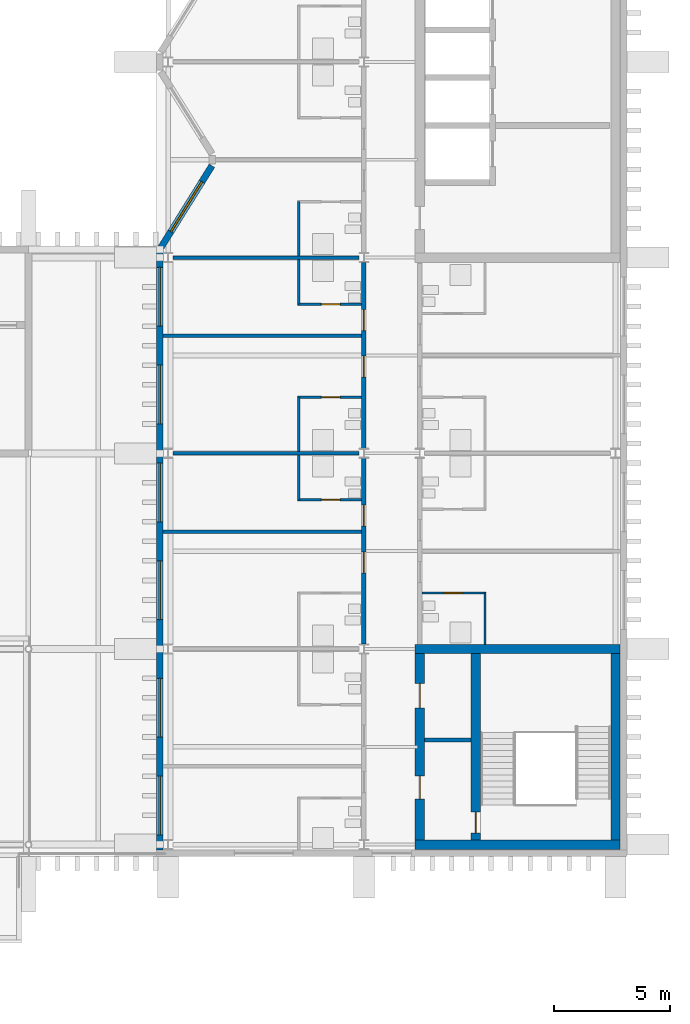
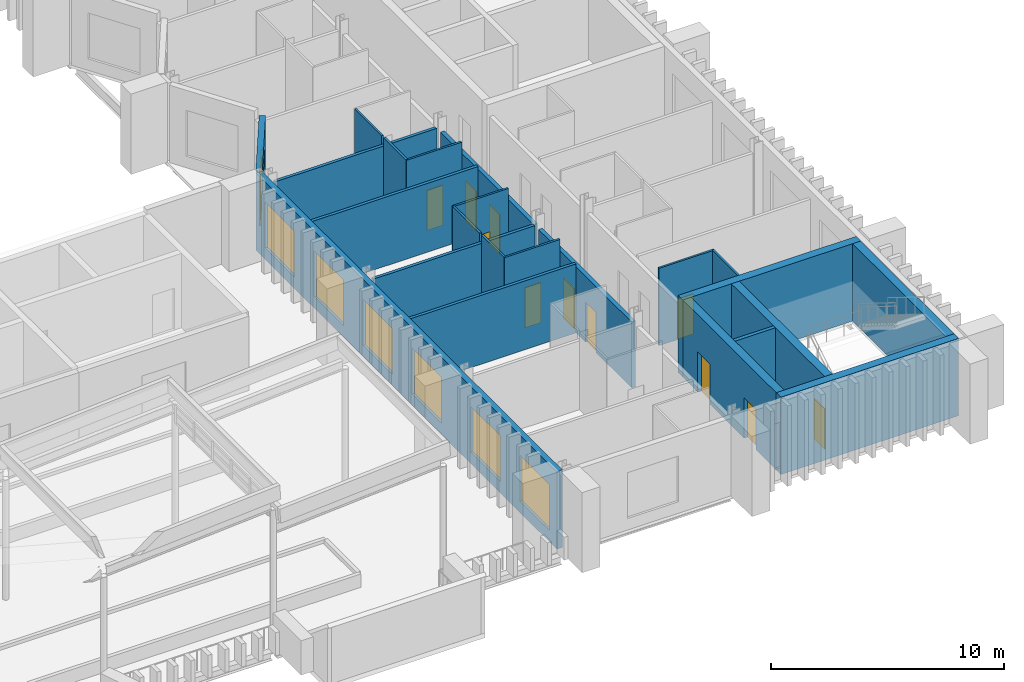
# One storey, part 38 of 51: 23 walls, 11 doors, 7 windows, 18 openings.
"""IFC4 building model written with IfcOpenShell, lengths in metres."""

from ifc_helpers import new_model, si_unit, direction, frame, frame_2d, origin, place, context, subcontext, project, spatial, rectangle, extrude, material, layer, layer_set, type_object, element, fill, save


model = new_model("IFC4")

# Units and contexts
model_context = context("Model", 3, precision=1e-05, world=origin(), true_north=direction((0.0, 1.0)))
body_context = subcontext(model_context, "Body", "Model", "MODEL_VIEW")
ifc_project = project(units=[si_unit("LENGTHUNIT", "METRE"), si_unit("AREAUNIT", "SQUARE_METRE"), si_unit("VOLUMEUNIT", "CUBIC_METRE"), si_unit("PLANEANGLEUNIT", "RADIAN"), si_unit("MASSUNIT", "GRAM", prefix="KILO")], contexts=[model_context])

# Site, building, storey
site_placement = place(None, origin())
site = spatial("IfcSite", under=ifc_project, at=site_placement, CompositionType="ELEMENT")
building_placement = place(site_placement, origin())
building = spatial("IfcBuilding", under=site, at=building_placement, Name="Cresset Court Congress Hotel", CompositionType="ELEMENT")
storey_placement = place(building_placement, frame((0.0, 0.0, 18.60009765625)))
storey = spatial("IfcBuildingStorey", under=building, at=storey_placement, Name="L04", CompositionType="ELEMENT", Elevation=18.60009765625)

# Wall, openings, doors
ifc_material_1 = material(Name="Gypsum board partition")
ifc_layer_1 = layer(ifc_material_1, 0.199951171875)
ifc_layer_set_1 = layer_set([ifc_layer_1], Name="Corridor wall 200")
wall_type_1 = type_object("IfcWallType", Name="Corridor wall 200", PredefinedType="PARTITIONING", material=ifc_layer_set_1)
wall_1_placement = place(storey_placement, frame((165.60009765625, 8.60693359375, 0.0), z_axis=(0.0, 0.0, 1.0), x_axis=(0.0, 1.0, 0.0)))
wall_1 = element("IfcWall", 1, at=wall_1_placement, inside=storey, type_object=wall_type_1, Name="A.wl.L04.071", PredefinedType="PARTITIONING", context=body_context, shape_type="SweptSolid", body=[
    extrude(rectangle(XDim=7.986083984375, YDim=0.199951171875, at=frame_2d((3.9931640625, 0.0))), origin(), (0.0, 0.0, 1.0), 3.449951171875),
])
opening_1_placement = place(wall_1_placement, frame((3.06298828125, 0.0, 0.0)))
opening_1 = element("IfcOpeningElement", 2, at=opening_1_placement, cuts=wall_1, Name="Opening DA-04-06", PredefinedType="OPENING", context=body_context, shape_type="SweptSolid", body=[
    extrude(rectangle(XDim=0.89990234375, YDim=2.10009765625, at=frame_2d((0.449951171875, 1.050048828125))), frame((0.0, 0.10986328125, 0.0), z_axis=(0.0, -1.0, 0.0), x_axis=(1.0, 0.0, 0.0)), (0.0, 0.0, 1.0), 0.219970703125),
])
opening_2_placement = place(wall_1_placement, frame((5.06298828125, 0.0, 0.0)))
opening_2 = element("IfcOpeningElement", 3, at=opening_2_placement, cuts=wall_1, Name="Opening DA-04-08", PredefinedType="OPENING", context=body_context, shape_type="SweptSolid", body=[
    extrude(rectangle(XDim=0.89990234375, YDim=2.10009765625, at=frame_2d((0.449951171875, 1.050048828125))), frame((0.0, 0.10986328125, 0.0), z_axis=(0.0, -1.0, 0.0), x_axis=(1.0, 0.0, 0.0)), (0.0, 0.0, 1.0), 0.219970703125),
])
ifc_material_2 = material(Name="timber", Category="wood")
door_type_1 = type_object("IfcDoorType", Name="Guest-room entry door 900x2100 FD30S", OperationType="SINGLE_SWING_LEFT", PredefinedType="DOOR", material=ifc_material_2)
door_1_placement = place(opening_1_placement, origin())
door_1 = element("IfcDoor", 4, at=door_1_placement, inside=storey, type_object=door_type_1, Name="Door DA-04-06", OperationType="SINGLE_SWING_RIGHT", OverallHeight=2.10009765625, OverallWidth=0.89990234375, PredefinedType="DOOR", context=body_context, shape_type="SweptSolid", body=[
    extrude(rectangle(XDim=0.89990234375, YDim=2.10009765625, at=frame_2d((0.449951171875, 1.050048828125))), frame((0.0, 0.02490234375, 0.0), z_axis=(0.0, -1.0, 0.0), x_axis=(1.0, 0.0, 0.0)), (0.0, 0.0, 1.0), 0.050048828125),
])
fill(opening_1, door_1)
door_2_placement = place(opening_2_placement, origin())
door_2 = element("IfcDoor", 5, at=door_2_placement, inside=storey, type_object=door_type_1, Name="Door DA-04-08", OperationType="SINGLE_SWING_LEFT", OverallHeight=2.10009765625, OverallWidth=0.89990234375, PredefinedType="DOOR", context=body_context, shape_type="SweptSolid", body=[
    extrude(rectangle(XDim=0.89990234375, YDim=2.10009765625, at=frame_2d((0.449951171875, 1.050048828125))), frame((0.0, 0.02490234375, 0.0), z_axis=(0.0, -1.0, 0.0), x_axis=(1.0, 0.0, 0.0)), (0.0, 0.0, 1.0), 0.050048828125),
])
fill(opening_2, door_2)

wall_2_placement = place(storey_placement, frame((165.60009765625, 17.007080078125, 0.0), z_axis=(0.0, 0.0, 1.0), x_axis=(0.0, 1.0, 0.0)))
wall_2 = element("IfcWall", 6, at=wall_2_placement, inside=storey, type_object=wall_type_1, Name="A.wl.L04.072", PredefinedType="PARTITIONING", context=body_context, shape_type="SweptSolid", body=[
    extrude(rectangle(XDim=7.98583984375, YDim=0.199951171875, at=frame_2d((3.992919921875, 0.0))), origin(), (0.0, 0.0, 1.0), 3.449951171875),
])
opening_3_placement = place(wall_2_placement, frame((3.06298828125, 0.0, 0.0)))
opening_3 = element("IfcOpeningElement", 7, at=opening_3_placement, cuts=wall_2, Name="Opening DA-04-10", PredefinedType="OPENING", context=body_context, shape_type="SweptSolid", body=[
    extrude(rectangle(XDim=0.89990234375, YDim=2.10009765625, at=frame_2d((0.449951171875, 1.050048828125))), frame((0.0, 0.10986328125, 0.0), z_axis=(0.0, -1.0, 0.0), x_axis=(1.0, 0.0, 0.0)), (0.0, 0.0, 1.0), 0.219970703125),
])
opening_4_placement = place(wall_2_placement, frame((5.06298828125, 0.0, 0.0)))
opening_4 = element("IfcOpeningElement", 8, at=opening_4_placement, cuts=wall_2, Name="Opening DA-04-12", PredefinedType="OPENING", context=body_context, shape_type="SweptSolid", body=[
    extrude(rectangle(XDim=0.89990234375, YDim=2.10009765625, at=frame_2d((0.449951171875, 1.050048828125))), frame((0.0, 0.10986328125, 0.0), z_axis=(0.0, -1.0, 0.0), x_axis=(1.0, 0.0, 0.0)), (0.0, 0.0, 1.0), 0.219970703125),
])
door_3_placement = place(opening_3_placement, origin())
door_3 = element("IfcDoor", 9, at=door_3_placement, inside=storey, type_object=door_type_1, Name="Door DA-04-10", OperationType="SINGLE_SWING_RIGHT", OverallHeight=2.10009765625, OverallWidth=0.89990234375, PredefinedType="DOOR", context=body_context, shape_type="SweptSolid", body=[
    extrude(rectangle(XDim=0.89990234375, YDim=2.10009765625, at=frame_2d((0.449951171875, 1.050048828125))), frame((0.0, 0.02490234375, 0.0), z_axis=(0.0, -1.0, 0.0), x_axis=(1.0, 0.0, 0.0)), (0.0, 0.0, 1.0), 0.050048828125),
])
fill(opening_3, door_3)
door_4_placement = place(opening_4_placement, origin())
door_4 = element("IfcDoor", 10, at=door_4_placement, inside=storey, type_object=door_type_1, Name="Door DA-04-12", OperationType="SINGLE_SWING_LEFT", OverallHeight=2.10009765625, OverallWidth=0.89990234375, PredefinedType="DOOR", context=body_context, shape_type="SweptSolid", body=[
    extrude(rectangle(XDim=0.89990234375, YDim=2.10009765625, at=frame_2d((0.449951171875, 1.050048828125))), frame((0.0, 0.02490234375, 0.0), z_axis=(0.0, -1.0, 0.0), x_axis=(1.0, 0.0, 0.0)), (0.0, 0.0, 1.0), 0.050048828125),
])
fill(opening_4, door_4)

# Wall
ifc_material_3 = material(Name="Gypsum board partition")
ifc_layer_2 = layer(ifc_material_3, 0.10009765625)
ifc_layer_set_2 = layer_set([ifc_layer_2], Name="En-suite wall 100")
wall_type_2 = type_object("IfcWallType", Name="En-suite wall 100", PredefinedType="PARTITIONING", material=ifc_layer_set_2)
wall_3_placement = place(storey_placement, frame((162.800048828125, 14.800048828125, 0.0), z_axis=(0.0, 0.0, 1.0), x_axis=(0.0, 1.0, 0.0)))
element("IfcWall", 11, at=wall_3_placement, inside=storey, type_object=wall_type_2, Name="A.wl.L04.007", PredefinedType="PARTITIONING", context=body_context, shape_type="SweptSolid", body=[
    extrude(rectangle(XDim=1.925048828125, YDim=0.10009765625, at=frame_2d((0.96240234375, 0.0))), origin(), (0.0, 0.0, 1.0), 4.0498046875),
])

# Wall, opening, door
wall_4_placement = place(storey_placement, frame((162.75, 14.800048828125, 0.0), z_axis=(0.0, 0.0, 1.0), x_axis=(1.0, 0.0, 0.0)))
wall_4 = element("IfcWall", 12, at=wall_4_placement, inside=storey, type_object=wall_type_2, Name="A.wl.L04.008", PredefinedType="PARTITIONING", context=body_context, shape_type="SweptSolid", body=[
    extrude(rectangle(XDim=2.75, YDim=0.10009765625, at=frame_2d((1.375, 0.0))), origin(), (0.0, 0.0, 1.0), 4.0498046875),
])
opening_5_placement = place(wall_4_placement, frame((1.030029296875, 0.0, 0.0)))
opening_5 = element("IfcOpeningElement", 13, at=opening_5_placement, cuts=wall_4, Name="Opening DA-04-07", PredefinedType="OPENING", context=body_context, shape_type="SweptSolid", body=[
    extrude(rectangle(XDim=0.800048828125, YDim=2.10009765625, at=frame_2d((0.39990234375, 1.050048828125))), frame((0.0, 0.06005859375, 0.0), z_axis=(0.0, -1.0, 0.0), x_axis=(1.0, 0.0, 0.0)), (0.0, 0.0, 1.0), 0.1201171875),
])
ifc_material_4 = material(Name="timber", Category="wood")
door_type_2 = type_object("IfcDoorType", Name="En-suite door 800x2100", OperationType="SINGLE_SWING_LEFT", PredefinedType="DOOR", material=ifc_material_4)
door_5_placement = place(opening_5_placement, origin())
door_5 = element("IfcDoor", 14, at=door_5_placement, inside=storey, type_object=door_type_2, Name="Door DA-04-07", OperationType="SINGLE_SWING_LEFT", OverallHeight=2.10009765625, OverallWidth=0.800048828125, PredefinedType="DOOR", context=body_context, shape_type="SweptSolid", body=[
    extrude(rectangle(XDim=0.800048828125, YDim=2.10009765625, at=frame_2d((0.39990234375, 1.050048828125))), frame((0.0, 0.02490234375, 0.0), z_axis=(0.0, -1.0, 0.0), x_axis=(1.0, 0.0, 0.0)), (0.0, 0.0, 1.0), 0.050048828125),
])
fill(opening_5, door_5)

# Wall
wall_5_placement = place(storey_placement, frame((162.800048828125, 16.875, 0.0), z_axis=(0.0, 0.0, 1.0), x_axis=(0.0, 1.0, 0.0)))
element("IfcWall", 15, at=wall_5_placement, inside=storey, type_object=wall_type_2, Name="A.wl.L04.009", PredefinedType="PARTITIONING", context=body_context, shape_type="SweptSolid", body=[
    extrude(rectangle(XDim=2.324951171875, YDim=0.10009765625, at=frame_2d((1.16259765625, 0.0))), origin(), (0.0, 0.0, 1.0), 4.0498046875),
])

# Wall, opening, door
wall_6_placement = place(storey_placement, frame((162.75, 19.199951171875, 0.0), z_axis=(0.0, 0.0, 1.0), x_axis=(1.0, 0.0, 0.0)))
wall_6 = element("IfcWall", 16, at=wall_6_placement, inside=storey, type_object=wall_type_2, Name="A.wl.L04.010", PredefinedType="PARTITIONING", context=body_context, shape_type="SweptSolid", body=[
    extrude(rectangle(XDim=2.75, YDim=0.10009765625, at=frame_2d((1.375, 0.0))), origin(), (0.0, 0.0, 1.0), 4.0498046875),
])
opening_6_placement = place(wall_6_placement, frame((1.030029296875, 0.0, 0.0)))
opening_6 = element("IfcOpeningElement", 17, at=opening_6_placement, cuts=wall_6, Name="Opening DA-04-09", PredefinedType="OPENING", context=body_context, shape_type="SweptSolid", body=[
    extrude(rectangle(XDim=0.800048828125, YDim=2.10009765625, at=frame_2d((0.39990234375, 1.050048828125))), frame((0.0, 0.06005859375, 0.0), z_axis=(0.0, -1.0, 0.0), x_axis=(1.0, 0.0, 0.0)), (0.0, 0.0, 1.0), 0.1201171875),
])
door_6_placement = place(opening_6_placement, origin())
door_6 = element("IfcDoor", 18, at=door_6_placement, inside=storey, type_object=door_type_2, Name="Door DA-04-09", OperationType="SINGLE_SWING_RIGHT", OverallHeight=2.10009765625, OverallWidth=0.800048828125, PredefinedType="DOOR", context=body_context, shape_type="SweptSolid", body=[
    extrude(rectangle(XDim=0.800048828125, YDim=2.10009765625, at=frame_2d((0.39990234375, 1.050048828125))), frame((0.0, 0.02490234375, 0.0), z_axis=(0.0, -1.0, 0.0), x_axis=(1.0, 0.0, 0.0)), (0.0, 0.0, 1.0), 0.050048828125),
])
fill(opening_6, door_6)

# Wall
wall_7_placement = place(storey_placement, frame((162.800048828125, 23.199951171875, 0.0), z_axis=(0.0, 0.0, 1.0), x_axis=(0.0, 1.0, 0.0)))
element("IfcWall", 19, at=wall_7_placement, inside=storey, type_object=wall_type_2, Name="A.wl.L04.011", PredefinedType="PARTITIONING", context=body_context, shape_type="SweptSolid", body=[
    extrude(rectangle(XDim=1.925048828125, YDim=0.10009765625, at=frame_2d((0.96240234375, 0.0))), origin(), (0.0, 0.0, 1.0), 4.0498046875),
])

# Wall, opening, door
wall_8_placement = place(storey_placement, frame((162.75, 23.199951171875, 0.0), z_axis=(0.0, 0.0, 1.0), x_axis=(1.0, 0.0, 0.0)))
wall_8 = element("IfcWall", 20, at=wall_8_placement, inside=storey, type_object=wall_type_2, Name="A.wl.L04.012", PredefinedType="PARTITIONING", context=body_context, shape_type="SweptSolid", body=[
    extrude(rectangle(XDim=2.75, YDim=0.10009765625, at=frame_2d((1.375, 0.0))), origin(), (0.0, 0.0, 1.0), 4.0498046875),
])
opening_7_placement = place(wall_8_placement, frame((1.030029296875, 0.0, 0.0)))
opening_7 = element("IfcOpeningElement", 21, at=opening_7_placement, cuts=wall_8, Name="Opening DA-04-11", PredefinedType="OPENING", context=body_context, shape_type="SweptSolid", body=[
    extrude(rectangle(XDim=0.800048828125, YDim=2.10009765625, at=frame_2d((0.39990234375, 1.050048828125))), frame((0.0, 0.06005859375, 0.0), z_axis=(0.0, -1.0, 0.0), x_axis=(1.0, 0.0, 0.0)), (0.0, 0.0, 1.0), 0.1201171875),
])
door_7_placement = place(opening_7_placement, origin())
door_7 = element("IfcDoor", 22, at=door_7_placement, inside=storey, type_object=door_type_2, Name="Door DA-04-11", OperationType="SINGLE_SWING_LEFT", OverallHeight=2.10009765625, OverallWidth=0.800048828125, PredefinedType="DOOR", context=body_context, shape_type="SweptSolid", body=[
    extrude(rectangle(XDim=0.800048828125, YDim=2.10009765625, at=frame_2d((0.39990234375, 1.050048828125))), frame((0.0, 0.02490234375, 0.0), z_axis=(0.0, -1.0, 0.0), x_axis=(1.0, 0.0, 0.0)), (0.0, 0.0, 1.0), 0.050048828125),
])
fill(opening_7, door_7)

# Walls
wall_9_placement = place(storey_placement, frame((162.800048828125, 25.27490234375, 0.0), z_axis=(0.0, 0.0, 1.0), x_axis=(0.0, 1.0, 0.0)))
element("IfcWall", 23, at=wall_9_placement, inside=storey, type_object=wall_type_2, Name="A.wl.L04.013", PredefinedType="PARTITIONING", context=body_context, shape_type="SweptSolid", body=[
    extrude(rectangle(XDim=2.3251953125, YDim=0.10009765625, at=frame_2d((1.16259765625, 0.0))), origin(), (0.0, 0.0, 1.0), 4.0498046875),
])
wall_10_placement = place(storey_placement, frame((170.800048828125, 8.60009765625, 0.0), z_axis=(0.0, 0.0, 1.0), x_axis=(0.0, 1.0, 0.0)))
element("IfcWall", 24, at=wall_10_placement, inside=storey, type_object=wall_type_2, Name="A.wl.L04.033", PredefinedType="PARTITIONING", context=body_context, shape_type="SweptSolid", body=[
    extrude(rectangle(XDim=2.199951171875, YDim=0.10009765625, at=frame_2d((1.10009765625, 0.0))), origin(), (0.0, 0.0, 1.0), 4.0498046875),
])

# Wall, opening, door
wall_11_placement = place(storey_placement, frame((170.85009765625, 10.800048828125, 0.0), z_axis=(0.0, 0.0, 1.0), x_axis=(-1.0, 0.0, 0.0)))
wall_11 = element("IfcWall", 25, at=wall_11_placement, inside=storey, type_object=wall_type_2, Name="A.wl.L04.034", PredefinedType="PARTITIONING", context=body_context, shape_type="SweptSolid", body=[
    extrude(rectangle(XDim=2.75, YDim=0.10009765625, at=frame_2d((1.375, 0.0))), origin(), (0.0, 0.0, 1.0), 4.0498046875),
])
opening_8_placement = place(wall_11_placement, frame((1.030029296875, 0.0, 0.0)))
opening_8 = element("IfcOpeningElement", 26, at=opening_8_placement, cuts=wall_11, Name="Opening DA-04-33", PredefinedType="OPENING", context=body_context, shape_type="SweptSolid", body=[
    extrude(rectangle(XDim=0.800048828125, YDim=2.10009765625, at=frame_2d((0.39990234375, 1.050048828125))), frame((0.0, 0.06005859375, 0.0), z_axis=(0.0, -1.0, 0.0), x_axis=(1.0, 0.0, 0.0)), (0.0, 0.0, 1.0), 0.1201171875),
])
door_8_placement = place(opening_8_placement, origin())
door_8 = element("IfcDoor", 27, at=door_8_placement, inside=storey, type_object=door_type_2, Name="Door DA-04-33", OperationType="SINGLE_SWING_RIGHT", OverallHeight=2.10009765625, OverallWidth=0.800048828125, PredefinedType="DOOR", context=body_context, shape_type="SweptSolid", body=[
    extrude(rectangle(XDim=0.800048828125, YDim=2.10009765625, at=frame_2d((0.39990234375, 1.050048828125))), frame((0.0, 0.02490234375, 0.0), z_axis=(0.0, -1.0, 0.0), x_axis=(1.0, 0.0, 0.0)), (0.0, 0.0, 1.0), 0.050048828125),
])
fill(opening_8, door_8)

# Wall, openings, windows
ifc_material_5 = material(Name="Precast concrete C50", Category="concrete")
ifc_layer_3 = layer(ifc_material_5, 0.280029296875)
ifc_layer_set_3 = layer_set([ifc_layer_3], Name="External wall 280")
wall_type_3 = type_object("IfcWallType", Name="External wall 280", PredefinedType="SOLIDWALL", material=ifc_layer_set_3)
wall_12_placement = place(storey_placement, frame((156.840087890625, -0.219970703125, 0.0), z_axis=(0.0, 0.0, 1.0), x_axis=(0.0, 1.0, 0.0)))
wall_12 = element("IfcWall", 28, at=wall_12_placement, inside=storey, type_object=wall_type_3, Name="A.ew.L04.W.1", PredefinedType="SOLIDWALL", context=body_context, shape_type="SweptSolid", body=[
    extrude(rectangle(XDim=25.77001953125, YDim=0.280029296875, at=frame_2d((12.885009765625, 0.0))), origin(), (0.0, 0.0, 1.0), 4.0498046875),
])
opening_9_placement = place(wall_12_placement, frame((0.639892578125, 0.0, 0.60009765625)))
opening_9 = element("IfcOpeningElement", 29, at=opening_9_placement, cuts=wall_12, Name="Opening NA-04-01", PredefinedType="OPENING", context=body_context, shape_type="SweptSolid", body=[
    extrude(rectangle(XDim=2.52001953125, YDim=2.39990234375, at=frame_2d((1.260009765625, 1.199951171875))), frame((0.0, 0.14990234375, 0.0), z_axis=(0.0, -1.0, 0.0), x_axis=(1.0, 0.0, 0.0)), (0.0, 0.0, 1.0), 0.300048828125),
])
opening_10_placement = place(wall_12_placement, frame((4.840087890625, 0.0, 0.60009765625)))
opening_10 = element("IfcOpeningElement", 30, at=opening_10_placement, cuts=wall_12, Name="Opening NA-04-02", PredefinedType="OPENING", context=body_context, shape_type="SweptSolid", body=[
    extrude(rectangle(XDim=2.52001953125, YDim=2.39990234375, at=frame_2d((1.260009765625, 1.199951171875))), frame((0.0, 0.14990234375, 0.0), z_axis=(0.0, -1.0, 0.0), x_axis=(1.0, 0.0, 0.0)), (0.0, 0.0, 1.0), 0.300048828125),
])
opening_11_placement = place(wall_12_placement, frame((9.8798828125, 0.0, 0.60009765625)))
opening_11 = element("IfcOpeningElement", 31, at=opening_11_placement, cuts=wall_12, Name="Opening NA-04-03", PredefinedType="OPENING", context=body_context, shape_type="SweptSolid", body=[
    extrude(rectangle(XDim=2.52001953125, YDim=2.39990234375, at=frame_2d((1.260009765625, 1.199951171875))), frame((0.0, 0.14990234375, 0.0), z_axis=(0.0, -1.0, 0.0), x_axis=(1.0, 0.0, 0.0)), (0.0, 0.0, 1.0), 0.300048828125),
])
opening_12_placement = place(wall_12_placement, frame((14.080078125, 0.0, 0.60009765625)))
opening_12 = element("IfcOpeningElement", 32, at=opening_12_placement, cuts=wall_12, Name="Opening NA-04-04", PredefinedType="OPENING", context=body_context, shape_type="SweptSolid", body=[
    extrude(rectangle(XDim=2.52001953125, YDim=2.39990234375, at=frame_2d((1.260009765625, 1.199951171875))), frame((0.0, 0.14990234375, 0.0), z_axis=(0.0, -1.0, 0.0), x_axis=(1.0, 0.0, 0.0)), (0.0, 0.0, 1.0), 0.300048828125),
])
opening_13_placement = place(wall_12_placement, frame((18.280029296875, 0.0, 0.60009765625)))
opening_13 = element("IfcOpeningElement", 33, at=opening_13_placement, cuts=wall_12, Name="Opening NA-04-05", PredefinedType="OPENING", context=body_context, shape_type="SweptSolid", body=[
    extrude(rectangle(XDim=2.52001953125, YDim=2.39990234375, at=frame_2d((1.260009765625, 1.199951171875))), frame((0.0, 0.14990234375, 0.0), z_axis=(0.0, -1.0, 0.0), x_axis=(1.0, 0.0, 0.0)), (0.0, 0.0, 1.0), 0.300048828125),
])
opening_14_placement = place(wall_12_placement, frame((22.47998046875, 0.0, 0.60009765625)))
opening_14 = element("IfcOpeningElement", 34, at=opening_14_placement, cuts=wall_12, Name="Opening NA-04-06", PredefinedType="OPENING", context=body_context, shape_type="SweptSolid", body=[
    extrude(rectangle(XDim=2.52001953125, YDim=2.39990234375, at=frame_2d((1.260009765625, 1.199951171875))), frame((0.0, 0.14990234375, 0.0), z_axis=(0.0, -1.0, 0.0), x_axis=(1.0, 0.0, 0.0)), (0.0, 0.0, 1.0), 0.300048828125),
])
ifc_material_6 = material(Name="Aluminium and glass", Category="aluminium")
window_type = type_object("IfcWindowType", Name="Window 2520x2400", PartitioningType="SINGLE_PANEL", PredefinedType="WINDOW", material=ifc_material_6)
window_1_placement = place(opening_9_placement, origin())
window_1 = element("IfcWindow", 35, at=window_1_placement, inside=storey, type_object=window_type, Name="Window NA-04-01", OverallHeight=2.39990234375, OverallWidth=2.52001953125, PartitioningType="SINGLE_PANEL", PredefinedType="WINDOW", context=body_context, shape_type="SweptSolid", body=[
    extrude(rectangle(XDim=2.52001953125, YDim=2.39990234375, at=frame_2d((1.260009765625, 1.199951171875))), frame((0.0, 0.030029296875, 0.0), z_axis=(0.0, -1.0, 0.0), x_axis=(1.0, 0.0, 0.0)), (0.0, 0.0, 1.0), 0.06005859375),
])
fill(opening_9, window_1)
window_2_placement = place(opening_10_placement, origin())
window_2 = element("IfcWindow", 36, at=window_2_placement, inside=storey, type_object=window_type, Name="Window NA-04-02", OverallHeight=2.39990234375, OverallWidth=2.52001953125, PartitioningType="SINGLE_PANEL", PredefinedType="WINDOW", context=body_context, shape_type="SweptSolid", body=[
    extrude(rectangle(XDim=2.52001953125, YDim=2.39990234375, at=frame_2d((1.260009765625, 1.199951171875))), frame((0.0, 0.030029296875, 0.0), z_axis=(0.0, -1.0, 0.0), x_axis=(1.0, 0.0, 0.0)), (0.0, 0.0, 1.0), 0.06005859375),
])
fill(opening_10, window_2)
window_3_placement = place(opening_11_placement, origin())
window_3 = element("IfcWindow", 37, at=window_3_placement, inside=storey, type_object=window_type, Name="Window NA-04-03", OverallHeight=2.39990234375, OverallWidth=2.52001953125, PartitioningType="SINGLE_PANEL", PredefinedType="WINDOW", context=body_context, shape_type="SweptSolid", body=[
    extrude(rectangle(XDim=2.52001953125, YDim=2.39990234375, at=frame_2d((1.260009765625, 1.199951171875))), frame((0.0, 0.030029296875, 0.0), z_axis=(0.0, -1.0, 0.0), x_axis=(1.0, 0.0, 0.0)), (0.0, 0.0, 1.0), 0.06005859375),
])
fill(opening_11, window_3)
window_4_placement = place(opening_12_placement, origin())
window_4 = element("IfcWindow", 38, at=window_4_placement, inside=storey, type_object=window_type, Name="Window NA-04-04", OverallHeight=2.39990234375, OverallWidth=2.52001953125, PartitioningType="SINGLE_PANEL", PredefinedType="WINDOW", context=body_context, shape_type="SweptSolid", body=[
    extrude(rectangle(XDim=2.52001953125, YDim=2.39990234375, at=frame_2d((1.260009765625, 1.199951171875))), frame((0.0, 0.030029296875, 0.0), z_axis=(0.0, -1.0, 0.0), x_axis=(1.0, 0.0, 0.0)), (0.0, 0.0, 1.0), 0.06005859375),
])
fill(opening_12, window_4)
window_5_placement = place(opening_13_placement, origin())
window_5 = element("IfcWindow", 39, at=window_5_placement, inside=storey, type_object=window_type, Name="Window NA-04-05", OverallHeight=2.39990234375, OverallWidth=2.52001953125, PartitioningType="SINGLE_PANEL", PredefinedType="WINDOW", context=body_context, shape_type="SweptSolid", body=[
    extrude(rectangle(XDim=2.52001953125, YDim=2.39990234375, at=frame_2d((1.260009765625, 1.199951171875))), frame((0.0, 0.030029296875, 0.0), z_axis=(0.0, -1.0, 0.0), x_axis=(1.0, 0.0, 0.0)), (0.0, 0.0, 1.0), 0.06005859375),
])
fill(opening_13, window_5)
window_6_placement = place(opening_14_placement, origin())
window_6 = element("IfcWindow", 40, at=window_6_placement, inside=storey, type_object=window_type, Name="Window NA-04-06", OverallHeight=2.39990234375, OverallWidth=2.52001953125, PartitioningType="SINGLE_PANEL", PredefinedType="WINDOW", context=body_context, shape_type="SweptSolid", body=[
    extrude(rectangle(XDim=2.52001953125, YDim=2.39990234375, at=frame_2d((1.260009765625, 1.199951171875))), frame((0.0, 0.030029296875, 0.0), z_axis=(0.0, -1.0, 0.0), x_axis=(1.0, 0.0, 0.0)), (0.0, 0.0, 1.0), 0.06005859375),
])
fill(opening_14, window_6)

# Wall, opening, window
wall_13_placement = place(storey_placement, frame((156.88623046875, 25.6240234375, 0.0), z_axis=(0.0, 0.0, 1.0), x_axis=(0.528992500338, 0.848626498871, 0.0)))
wall_13 = element("IfcWall", 41, at=wall_13_placement, inside=storey, type_object=wall_type_3, Name="A.ew.L04.Wn.3.0", PredefinedType="SOLIDWALL", context=body_context, shape_type="SweptSolid", body=[
    extrude(rectangle(XDim=4.14453125, YDim=0.280029296875, at=frame_2d((2.072265625, 0.0))), origin(), (0.0, 0.0, 1.0), 4.0498046875),
])
opening_15_placement = place(wall_13_placement, frame((0.812255859375, 0.0, 0.60009765625)))
opening_15 = element("IfcOpeningElement", 42, at=opening_15_placement, cuts=wall_13, Name="Opening NA-04-07", PredefinedType="OPENING", context=body_context, shape_type="SweptSolid", body=[
    extrude(rectangle(XDim=2.52001953125, YDim=2.39990234375, at=frame_2d((1.260009765625, 1.199951171875))), frame((0.0, 0.14990234375, 0.0), z_axis=(0.0, -1.0, 0.0), x_axis=(1.0, 0.0, 0.0)), (0.0, 0.0, 1.0), 0.300048828125),
])
window_7_placement = place(opening_15_placement, origin())
window_7 = element("IfcWindow", 43, at=window_7_placement, inside=storey, type_object=window_type, Name="Window NA-04-07", OverallHeight=2.39990234375, OverallWidth=2.52001953125, PartitioningType="SINGLE_PANEL", PredefinedType="WINDOW", context=body_context, shape_type="SweptSolid", body=[
    extrude(rectangle(XDim=2.52001953125, YDim=2.39990234375, at=frame_2d((1.260009765625, 1.199951171875))), frame((0.0, 0.030029296875, 0.0), z_axis=(0.0, -1.0, 0.0), x_axis=(1.0, 0.0, 0.0)), (0.0, 0.0, 1.0), 0.06005859375),
])
fill(opening_15, window_7)

# Walls
ifc_material_7 = material(Name="Gypsum board partition")
ifc_layer_4 = layer(ifc_material_7, 0.14990234375)
ifc_layer_set_4 = layer_set([ifc_layer_4], Name="Guest-room partition 150")
wall_type_4 = type_object("IfcWallType", Name="Guest-room partition 150", PredefinedType="PARTITIONING", material=ifc_layer_set_4)
for number, where, z_axis, x_axis, name in (
    (44, (157.402587890625, 16.800048828125, 0.0), (0.0, 0.0, 1.0), (1.0, 0.0, 0.0), "A.wl.L04.050"),
    (45, (157.402587890625, 25.199951171875, 0.0), (0.0, 0.0, 1.0), (1.0, 0.0, 0.0), "A.wl.L04.051"),
):
    element("IfcWall", number, at=place(storey_placement, frame(where, z_axis=z_axis, x_axis=x_axis)), inside=storey, type_object=wall_type_4, Name=name, PredefinedType="PARTITIONING", context=body_context, shape_type="SweptSolid", body=[
        extrude(rectangle(XDim=7.994873046875, YDim=0.14990234375, at=frame_2d((3.99755859375, 0.0))), origin(), (0.0, 0.0, 1.0), 3.60400390625),
    ])
for number, where, z_axis, x_axis, name in (
    (46, (156.97998046875, 13.43994140625, 0.0), (0.0, 0.0, 1.0), (1.0, 0.0, 0.0), "A.wl.L04.059"),
    (47, (156.97998046875, 21.840087890625, 0.0), (0.0, 0.0, 1.0), (1.0, 0.0, 0.0), "A.wl.L04.060"),
):
    element("IfcWall", number, at=place(storey_placement, frame(where, z_axis=z_axis, x_axis=x_axis)), inside=storey, type_object=wall_type_4, Name=name, PredefinedType="PARTITIONING", context=body_context, shape_type="SweptSolid", body=[
        extrude(rectangle(XDim=8.52001953125, YDim=0.14990234375, at=frame_2d((4.260009765625, 0.0))), origin(), (0.0, 0.0, 1.0), 3.60400390625),
    ])
ifc_material_8 = material(Name="Concrete block wall", Category="concrete")
ifc_layer_5 = layer(ifc_material_8, 0.175048828125)
ifc_layer_set_5 = layer_set([ifc_layer_5], Name="Riser shaft wall 175")
wall_type_5 = type_object("IfcWallType", Name="Riser shaft wall 175", PredefinedType="PARTITIONING", material=ifc_layer_set_5)
wall_14_placement = place(storey_placement, frame((168.199951171875, 4.5, 0.0), z_axis=(0.0, 0.0, 1.0), x_axis=(1.0, 0.0, 0.0)))
element("IfcWall", 48, at=wall_14_placement, inside=storey, type_object=wall_type_5, Name="A.wl.L04.083", PredefinedType="PARTITIONING", context=body_context, shape_type="SweptSolid", body=[
    extrude(rectangle(XDim=2.0, YDim=0.175048828125, at=frame_2d((1.0, 0.0))), origin(), (0.0, 0.0, 1.0), 4.0498046875),
])
ifc_material_9 = material(Name="Concrete C50", Category="concrete")
ifc_layer_6 = layer(ifc_material_9, 0.39990234375)
ifc_layer_set_6 = layer_set([ifc_layer_6], Name="Stair core wall 400")
wall_type_6 = type_object("IfcWallType", Name="Stair core wall 400", PredefinedType="SOLIDWALL", material=ifc_layer_set_6)
for number, where, z_axis, x_axis, name in (
    (49, (167.800048828125, 0.0, 0.0), (0.0, 0.0, 1.0), (1.0, 0.0, 0.0), "A.cw.ST-A1.L04.S"),
    (50, (167.800048828125, 8.39990234375, 0.0), (0.0, 0.0, 1.0), (1.0, 0.0, 0.0), "A.cw.ST-A1.L04.N"),
):
    element("IfcWall", number, at=place(storey_placement, frame(where, z_axis=z_axis, x_axis=x_axis)), inside=storey, type_object=wall_type_6, Name=name, PredefinedType="SOLIDWALL", context=body_context, shape_type="SweptSolid", body=[
        extrude(rectangle(XDim=8.800048828125, YDim=0.39990234375, at=frame_2d((4.39990234375, 0.0))), origin(), (0.0, 0.0, 1.0), 4.0498046875),
    ])

# Wall, openings, doors
wall_15_placement = place(storey_placement, frame((168.0, 0.199951171875, 0.0), z_axis=(0.0, 0.0, 1.0), x_axis=(0.0, 1.0, 0.0)))
wall_15 = element("IfcWall", 51, at=wall_15_placement, inside=storey, type_object=wall_type_6, Name="A.cw.ST-A1.L04.W", PredefinedType="SOLIDWALL", context=body_context, shape_type="SweptSolid", body=[
    extrude(rectangle(XDim=8.0, YDim=0.39990234375, at=frame_2d((4.0, 0.0))), origin(), (0.0, 0.0, 1.0), 4.0498046875),
])
opening_16_placement = place(wall_15_placement, frame((1.75, 0.0, 0.0)))
opening_16 = element("IfcOpeningElement", 52, at=opening_16_placement, cuts=wall_15, Name="Opening DA-04-50", PredefinedType="OPENING", context=body_context, shape_type="SweptSolid", body=[
    extrude(rectangle(XDim=1.0, YDim=2.10009765625, at=frame_2d((0.5, 1.050048828125))), frame((0.0, 0.2099609375, 0.0), z_axis=(0.0, -1.0, 0.0), x_axis=(1.0, 0.0, 0.0)), (0.0, 0.0, 1.0), 0.419921875),
])
opening_17_placement = place(wall_15_placement, frame((5.675048828125, 0.0, 0.0)))
opening_17 = element("IfcOpeningElement", 53, at=opening_17_placement, cuts=wall_15, Name="Opening DA-04-51", PredefinedType="OPENING", context=body_context, shape_type="SweptSolid", body=[
    extrude(rectangle(XDim=1.050048828125, YDim=2.10009765625, at=frame_2d((0.52490234375, 1.050048828125))), frame((0.0, 0.2099609375, 0.0), z_axis=(0.0, -1.0, 0.0), x_axis=(1.0, 0.0, 0.0)), (0.0, 0.0, 1.0), 0.419921875),
])
ifc_material_10 = material(Name="steel", Category="steel")
door_type_3 = type_object("IfcDoorType", Name="Housekeeping room door 1050x2100 FD30", OperationType="SINGLE_SWING_LEFT", PredefinedType="DOOR", material=ifc_material_10)
door_9_placement = place(opening_17_placement, origin())
door_9 = element("IfcDoor", 54, at=door_9_placement, inside=storey, type_object=door_type_3, Name="Door DA-04-51", OperationType="SINGLE_SWING_LEFT", OverallHeight=2.10009765625, OverallWidth=1.050048828125, PredefinedType="DOOR", context=body_context, shape_type="SweptSolid", body=[
    extrude(rectangle(XDim=1.050048828125, YDim=2.10009765625, at=frame_2d((0.52490234375, 1.050048828125))), frame((0.0, 0.02490234375, 0.0), z_axis=(0.0, -1.0, 0.0), x_axis=(1.0, 0.0, 0.0)), (0.0, 0.0, 1.0), 0.050048828125),
])
fill(opening_17, door_9)
ifc_material_11 = material(Name="steel", Category="steel")
door_type_4 = type_object("IfcDoorType", Name="Lobby door 1000x2100 FD60", OperationType="SINGLE_SWING_LEFT", PredefinedType="DOOR", material=ifc_material_11)
door_10_placement = place(opening_16_placement, origin())
door_10 = element("IfcDoor", 55, at=door_10_placement, inside=storey, type_object=door_type_4, Name="Door DA-04-50", OperationType="SINGLE_SWING_RIGHT", OverallHeight=2.10009765625, OverallWidth=1.0, PredefinedType="DOOR", context=body_context, shape_type="SweptSolid", body=[
    extrude(rectangle(XDim=1.0, YDim=2.10009765625, at=frame_2d((0.5, 1.050048828125))), frame((0.0, 0.02490234375, 0.0), z_axis=(0.0, -1.0, 0.0), x_axis=(1.0, 0.0, 0.0)), (0.0, 0.0, 1.0), 0.050048828125),
])
fill(opening_16, door_10)

# Wall
wall_16_placement = place(storey_placement, frame((176.39990234375, 0.199951171875, 0.0), z_axis=(0.0, 0.0, 1.0), x_axis=(0.0, 1.0, 0.0)))
element("IfcWall", 56, at=wall_16_placement, inside=storey, type_object=wall_type_6, Name="A.cw.ST-A1.L04.E", PredefinedType="SOLIDWALL", context=body_context, shape_type="SweptSolid", body=[
    extrude(rectangle(XDim=8.0, YDim=0.39990234375, at=frame_2d((4.0, 0.0))), origin(), (0.0, 0.0, 1.0), 4.0498046875),
])

# Wall, opening, door
wall_17_placement = place(storey_placement, frame((170.39990234375, 0.199951171875, 0.0), z_axis=(0.0, 0.0, 1.0), x_axis=(0.0, 1.0, 0.0)))
wall_17 = element("IfcWall", 57, at=wall_17_placement, inside=storey, type_object=wall_type_6, Name="A.wl.L04.082", PredefinedType="SOLIDWALL", context=body_context, shape_type="SweptSolid", body=[
    extrude(rectangle(XDim=8.0, YDim=0.39990234375, at=frame_2d((4.0, 0.0))), origin(), (0.0, 0.0, 1.0), 4.0498046875),
])
opening_18_placement = place(wall_17_placement, frame((0.300048828125, 0.0, 0.0)))
opening_18 = element("IfcOpeningElement", 58, at=opening_18_placement, cuts=wall_17, Name="Opening DA-04-49", PredefinedType="OPENING", context=body_context, shape_type="SweptSolid", body=[
    extrude(rectangle(XDim=0.89990234375, YDim=2.10009765625, at=frame_2d((0.449951171875, 1.050048828125))), frame((0.0, 0.2099609375, 0.0), z_axis=(0.0, -1.0, 0.0), x_axis=(1.0, 0.0, 0.0)), (0.0, 0.0, 1.0), 0.419921875),
])
ifc_material_12 = material(Name="steel", Category="steel")
door_type_5 = type_object("IfcDoorType", Name="Stair door 900x2100 FD60", OperationType="SINGLE_SWING_LEFT", PredefinedType="DOOR", material=ifc_material_12)
door_11_placement = place(opening_18_placement, origin())
door_11 = element("IfcDoor", 59, at=door_11_placement, inside=storey, type_object=door_type_5, Name="Door DA-04-49", OperationType="SINGLE_SWING_LEFT", OverallHeight=2.10009765625, OverallWidth=0.89990234375, PredefinedType="DOOR", context=body_context, shape_type="SweptSolid", body=[
    extrude(rectangle(XDim=0.89990234375, YDim=2.10009765625, at=frame_2d((0.449951171875, 1.050048828125))), frame((0.0, 0.02490234375, 0.0), z_axis=(0.0, -1.0, 0.0), x_axis=(1.0, 0.0, 0.0)), (0.0, 0.0, 1.0), 0.050048828125),
])
fill(opening_18, door_11)

save(model, "model.ifc")
